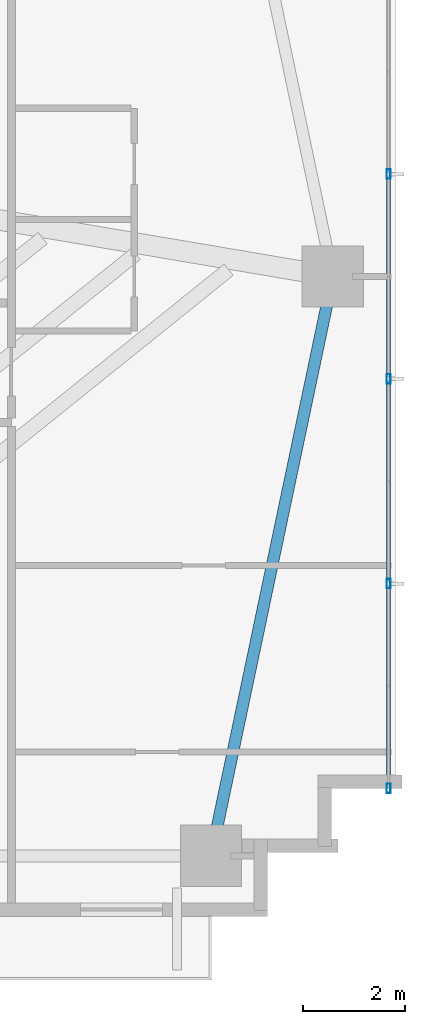
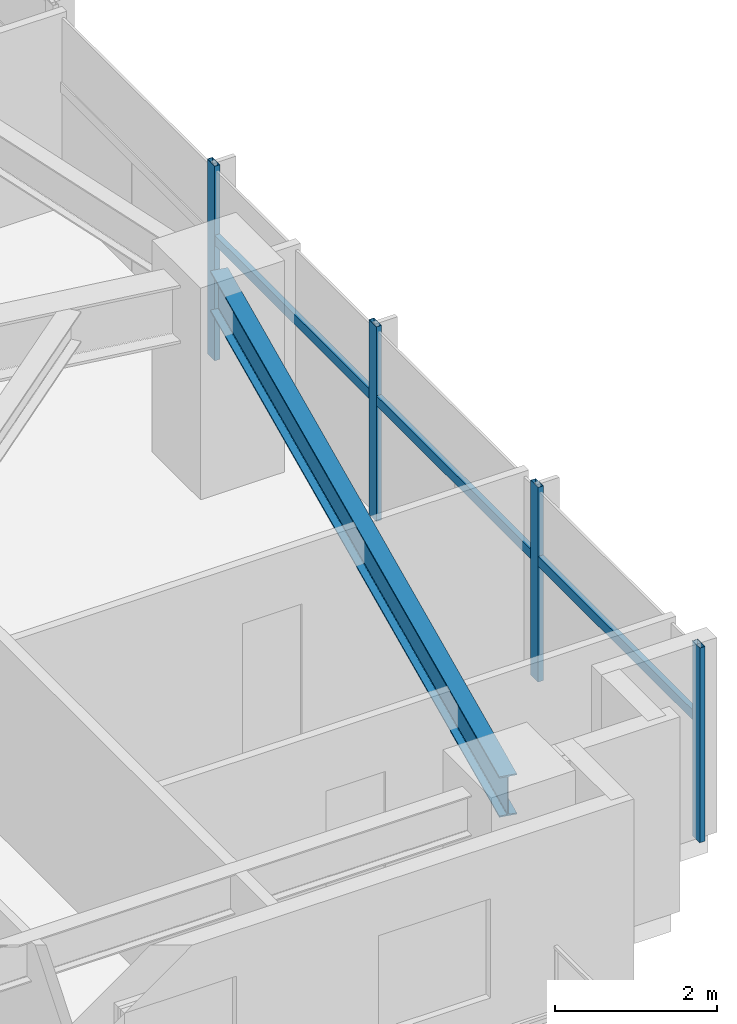
# One storey, part 14 of 25: 7 members, 1 beam, 1 element without a shape of its own.
"""IFC4 building model written with IfcOpenShell, lengths in metres."""

from ifc_helpers import new_model, si_unit, direction, frame, origin, origin_2d, place, context, subcontext, project, spatial, hollow_rectangle, i_section, extrude, source, transform, mapped, material, material_profile, profile_set, type_object, type_shapes, element, aggregate, save


model = new_model("IFC4")

# Units and contexts
model_context = context("Model", 3, precision=1e-05, world=origin(), true_north=direction((0.0, 1.0)))
body_context = subcontext(model_context, "Body", "Model", "MODEL_VIEW")
ifc_project = project(units=[si_unit("LENGTHUNIT", "METRE"), si_unit("AREAUNIT", "SQUARE_METRE"), si_unit("VOLUMEUNIT", "CUBIC_METRE"), si_unit("PLANEANGLEUNIT", "RADIAN"), si_unit("MASSUNIT", "GRAM", prefix="KILO")], contexts=[model_context])

# Site, building, storey
site_placement = place(None, origin())
site = spatial("IfcSite", under=ifc_project, at=site_placement, CompositionType="ELEMENT")
building_placement = place(site_placement, origin())
building = spatial("IfcBuilding", under=site, at=building_placement, Name="Astriad Promenade Condominiums", CompositionType="ELEMENT")
storey_placement = place(building_placement, frame((0.0, 0.0, 26.199951171875)))
storey = spatial("IfcBuildingStorey", under=building, at=storey_placement, Name="L06", CompositionType="ELEMENT", Elevation=26.199951171875)

# Beam
ifc_material_1 = material(Name="Steel ASTM A992 Grade 50", Category="steel")
ifc_material_profile_1 = material_profile(ifc_material_1, i_section(OverallWidth=0.22900390625, OverallDepth=0.612060546875, WebThickness=0.011962890625, FlangeThickness=0.01953125, FilletRadius=0.017822265625, at=origin_2d()), Name="W24X84")
ifc_profile_set_1 = profile_set([ifc_material_profile_1], Name="Steel ASTM A992 Grade 50")
beam_type = type_object("IfcBeamType", Name="STEEL SPANDREL BEAM W24X84", PredefinedType="SPANDREL", material=ifc_profile_set_1)
shared_shape_1 = source(origin(), body_context, "Body", "SweptSolid", [
    extrude(i_section(OverallWidth=0.22900390625, OverallDepth=0.612060546875, WebThickness=0.011962890625, FlangeThickness=0.01953125, FilletRadius=0.017822265625, at=origin_2d()), origin(), (0.0, 0.0, 1.0), 11.487548828125),
])
type_shapes(beam_type, [shared_shape_1])
beam_placement = place(storey_placement, frame((56.208251953125, 3.919189453125, 2.634033203125), z_axis=(0.205748055501, 0.978604995725, 0.0), x_axis=(-0.978604995725, 0.205748055501, 0.0)))
element("IfcBeam", 1, at=beam_placement, inside=storey, type_object=beam_type, Name="Perimeter Spandrel Beam SP-E1-L06", PredefinedType="SPANDREL", context=body_context, shape_type="MappedRepresentation", body=[
    mapped(shared_shape_1, transform((0.0, 0.0, 0.0), scale=1.0)),
])

# Curtain wall, members
ifc_material_2 = material(Name="Anodised aluminium Black Dark Glass Unitised", Category="aluminium")
curtain_wall_type = type_object("IfcCurtainWallType", Name="CW-B1-DARK", PredefinedType="USERDEFINED", material=ifc_material_2)
curtain_wall_placement = place(storey_placement, origin())
curtain_wall = element("IfcCurtainWall", 2, at=curtain_wall_placement, inside=storey, type_object=curtain_wall_type, Name="CW-L06-E", ObjectType="UNITISED_CURTAIN_WALL", PredefinedType="USERDEFINED")
ifc_material_3 = material(Name="Anodised aluminium 6063-T6 Black", Category="aluminium")
ifc_material_profile_2 = material_profile(ifc_material_3, hollow_rectangle(XDim=0.074951171875, YDim=0.18505859375, WallThickness=0.00439453125, at=origin_2d()), Name="ALU-MUL-75X185")
ifc_profile_set_2 = profile_set([ifc_material_profile_2], Name="Anodised aluminium 6063-T6 Black")
member_type_1 = type_object("IfcMemberType", Name="MUL-ALU-MUL-75X185", PredefinedType="MULLION", material=ifc_profile_set_2)
shared_shape_2 = source(origin(), body_context, "Body", "SweptSolid", [
    extrude(hollow_rectangle(XDim=0.074951171875, YDim=0.18505859375, WallThickness=0.00439453125, at=origin_2d()), origin(), (0.0, 0.0, 1.0), 2.93994140625),
])
type_shapes(member_type_1, [shared_shape_2])
member_1_placement = place(storey_placement, frame((59.669921875, 17.199951171875, 0.0), z_axis=(0.0, 0.0, 1.0), x_axis=(1.0, 0.0, 0.0)))
member_1 = element("IfcMember", 3, at=member_1_placement, type_object=member_type_1, Name="CW-L06-E-MUL-02", PredefinedType="MULLION", context=body_context, shape_type="MappedRepresentation", body=[
    mapped(shared_shape_2, transform((0.0, 0.0, 0.0), scale=1.0)),
])
member_2_placement = place(storey_placement, frame((59.669921875, 13.199951171875, 0.0), z_axis=(0.0, 0.0, 1.0), x_axis=(1.0, 0.0, 0.0)))
member_2 = element("IfcMember", 4, at=member_2_placement, type_object=member_type_1, Name="CW-L06-E-MUL-03", PredefinedType="MULLION", context=body_context, shape_type="MappedRepresentation", body=[
    mapped(shared_shape_2, transform((0.0, 0.0, 0.0), scale=1.0)),
])
member_3_placement = place(storey_placement, frame((59.669921875, 9.199951171875, 0.0), z_axis=(0.0, 0.0, 1.0), x_axis=(1.0, 0.0, 0.0)))
member_3 = element("IfcMember", 5, at=member_3_placement, type_object=member_type_1, Name="CW-L06-E-MUL-04", PredefinedType="MULLION", context=body_context, shape_type="MappedRepresentation", body=[
    mapped(shared_shape_2, transform((0.0, 0.0, 0.0), scale=1.0)),
])
member_4_placement = place(storey_placement, frame((59.669921875, 5.199951171875, 0.0), z_axis=(0.0, 0.0, 1.0), x_axis=(1.0, 0.0, 0.0)))
member_4 = element("IfcMember", 6, at=member_4_placement, type_object=member_type_1, Name="CW-L06-E-MUL-05", PredefinedType="MULLION", context=body_context, shape_type="MappedRepresentation", body=[
    mapped(shared_shape_2, transform((0.0, 0.0, 0.0), scale=1.0)),
])
ifc_material_profile_3 = material_profile(ifc_material_3, hollow_rectangle(XDim=0.074951171875, YDim=0.14990234375, WallThickness=0.004150390625, at=origin_2d()), Name="ALU-TRN-75X150")
ifc_profile_set_3 = profile_set([ifc_material_profile_3], Name="Anodised aluminium 6063-T6 Black")
member_type_2 = type_object("IfcMemberType", Name="TRN-ALU-TRN-75X150", PredefinedType="USERDEFINED", material=ifc_profile_set_3)
shared_shape_3 = source(origin(), body_context, "Body", "SweptSolid", [
    extrude(hollow_rectangle(XDim=0.074951171875, YDim=0.14990234375, WallThickness=0.004150390625, at=origin_2d()), origin(), (0.0, 0.0, 1.0), 4.0),
])
type_shapes(member_type_2, [shared_shape_3])
member_5_placement = place(storey_placement, frame((59.669921875, 17.199951171875, 1.82275390625), z_axis=(0.0, -1.0, 0.0), x_axis=(1.0, 0.0, 0.0)))
member_5 = element("IfcMember", 7, at=member_5_placement, type_object=member_type_2, Name="CW-L06-E-TRN-02-0", ObjectType="TRANSOM", PredefinedType="USERDEFINED", context=body_context, shape_type="MappedRepresentation", body=[
    mapped(shared_shape_3, transform((0.0, 0.0, 0.0), scale=1.0)),
])
member_6_placement = place(storey_placement, frame((59.669921875, 13.199951171875, 1.82275390625), z_axis=(0.0, -1.0, 0.0), x_axis=(1.0, 0.0, 0.0)))
member_6 = element("IfcMember", 8, at=member_6_placement, type_object=member_type_2, Name="CW-L06-E-TRN-03-0", ObjectType="TRANSOM", PredefinedType="USERDEFINED", context=body_context, shape_type="MappedRepresentation", body=[
    mapped(shared_shape_3, transform((0.0, 0.0, 0.0), scale=1.0)),
])
member_7_placement = place(storey_placement, frame((59.669921875, 9.199951171875, 1.82275390625), z_axis=(0.0, -1.0, 0.0), x_axis=(1.0, 0.0, 0.0)))
member_7 = element("IfcMember", 9, at=member_7_placement, type_object=member_type_2, Name="CW-L06-E-TRN-04-0", ObjectType="TRANSOM", PredefinedType="USERDEFINED", context=body_context, shape_type="MappedRepresentation", body=[
    mapped(shared_shape_3, transform((0.0, 0.0, 0.0), scale=1.0)),
])
aggregate(curtain_wall, [member_1, member_2, member_3, member_4, member_5, member_6, member_7])

save(model, "model.ifc")
